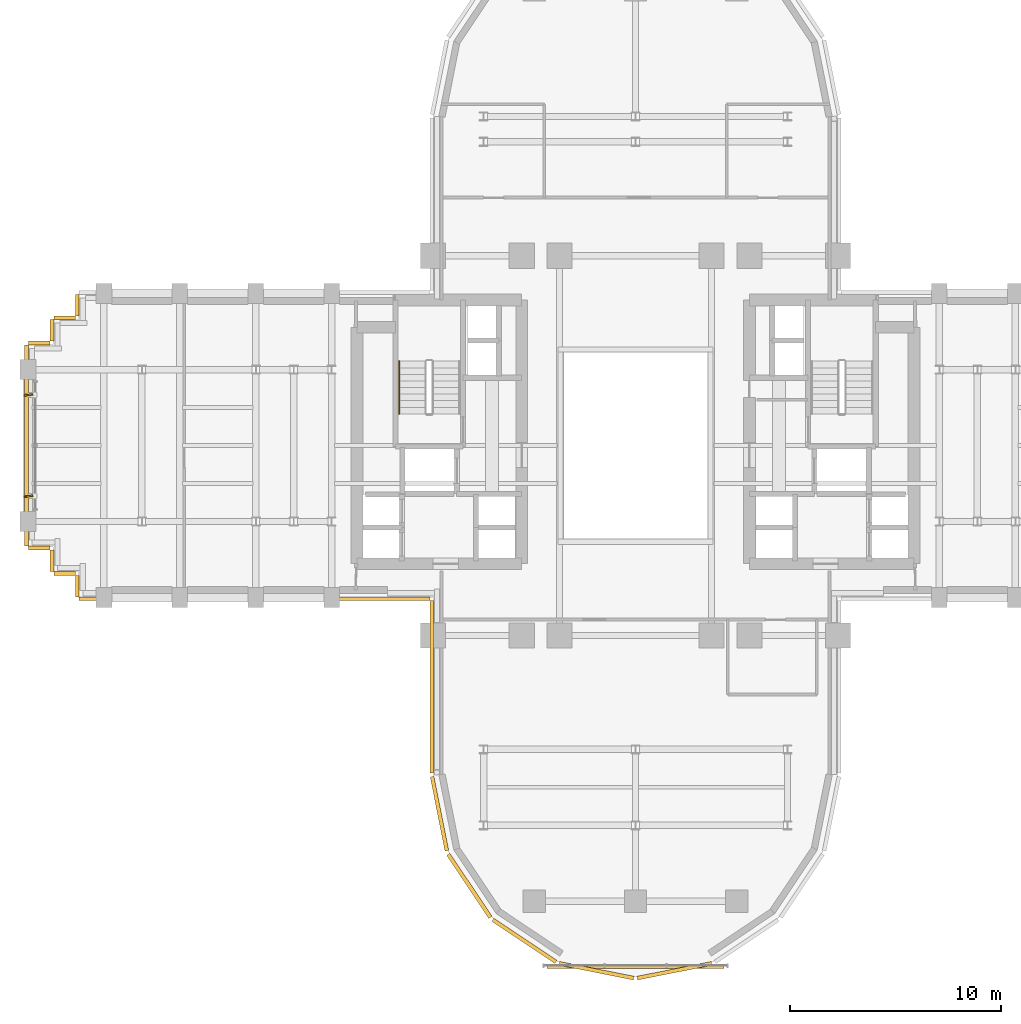
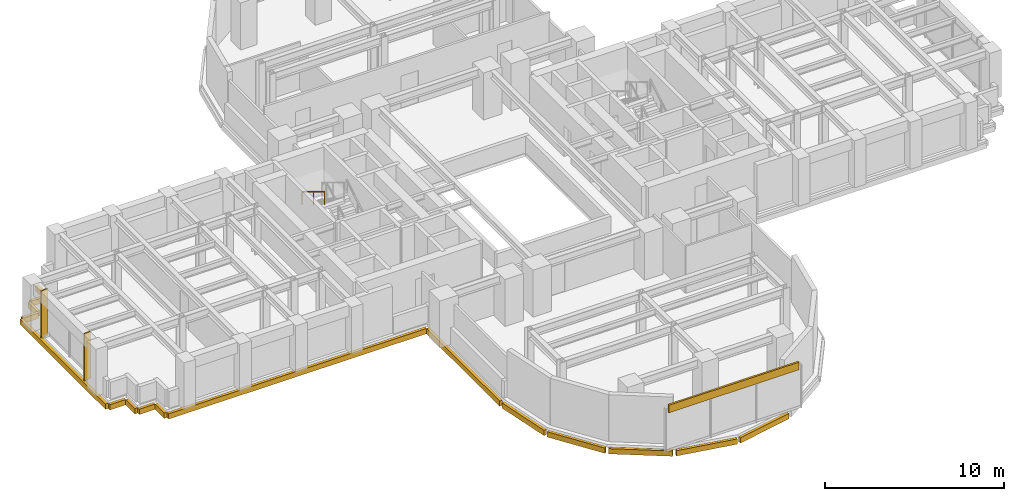
# One storey, part 13 of 16: 17 coverings, 2 shading devices, 1 railing.
"""IFC4 building model written with IfcOpenShell, lengths in metres."""

from ifc_helpers import new_model, si_unit, direction, frame, origin, origin_2d, place, context, subcontext, project, spatial, rectangle, extrude, source, transform, mapped, material, layer, layer_set, type_object, element, save


model = new_model("IFC4")

# Units and contexts
model_context = context("Model", 3, precision=1e-05, world=origin(), true_north=direction((0.0, 1.0)))
body_context = subcontext(model_context, "Body", "Model", "MODEL_VIEW")
ifc_project = project(units=[si_unit("LENGTHUNIT", "METRE"), si_unit("AREAUNIT", "SQUARE_METRE"), si_unit("VOLUMEUNIT", "CUBIC_METRE"), si_unit("PLANEANGLEUNIT", "RADIAN"), si_unit("MASSUNIT", "GRAM", prefix="KILO")], contexts=[model_context])

# Site, building, storey
site_placement = place(None, origin())
site = spatial("IfcSite", under=ifc_project, at=site_placement, CompositionType="ELEMENT")
building_placement = place(site_placement, origin())
building = spatial("IfcBuilding", under=site, at=building_placement, Name="Keilestroom Media Tower", CompositionType="ELEMENT")
storey_placement = place(building_placement, frame((0.0, 0.0, 64.60009765625)))
storey = spatial("IfcBuildingStorey", under=building, at=storey_placement, Name="L16", CompositionType="ELEMENT", Elevation=64.60009765625)

# Railing
ifc_material_1 = material(Name="Brushed Stainless Steel 1.4301", Category="steel")
railing_type = type_object("IfcRailingType", Name="Stair-Pitch-Handrail-920", PredefinedType="HANDRAIL", material=ifc_material_1)
railing_placement = place(storey_placement, frame((-11.2099609375, 3.99609375, 1.888671875)))
element("IfcRailing", 1, at=railing_placement, inside=storey, type_object=railing_type, Name="L16 ST-1 stair handrail 2", PredefinedType="HANDRAIL", context=body_context, shape_type="SweptSolid", body=[
    extrude(rectangle(XDim=0.048095703125, YDim=0.048095703125, at=origin_2d()), frame((0.0, 0.0, 0.8759765625), z_axis=(0.0, -0.855433747314, 0.517912255074), x_axis=(1.0, 0.0, 0.0)), (0.0, 0.0, 1.0), 2.91796875),
    extrude(rectangle(XDim=0.0419921875, YDim=0.0419921875, at=origin_2d()), origin(), (0.0, 0.0, 1.0), 0.84375),
    extrude(rectangle(XDim=0.0419921875, YDim=0.0419921875, at=origin_2d()), frame((0.0, -1.248046875, 0.755615234375)), (0.0, 0.0, 1.0), 0.84375),
    extrude(rectangle(XDim=0.0419921875, YDim=0.0419921875, at=origin_2d()), frame((0.0, -2.49609375, 1.51123046875)), (0.0, 0.0, 1.0), 0.84375),
])

# Covering
ifc_material_2 = material(Name="Precast concrete C40/50", Category="concrete")
ifc_layer = layer(ifc_material_2, 0.1201171875)
ifc_layer_set = layer_set([ifc_layer], Name="Precast concrete C40/50")
covering_type = type_object("IfcCoveringType", Name="Exterior-Precast-Spandrel-Cladding-Panel-120", PredefinedType="CLADDING", material=ifc_layer_set)
shared_shape_1 = source(origin(), body_context, "Body", "SweptSolid", [
    extrude(rectangle(XDim=8.39990234375, YDim=0.1201171875, at=origin_2d()), origin(), (0.0, 0.0, 1.0), 0.52001953125),
])
covering_1_placement = place(storey_placement, frame((0.0, -24.719970703125, 2.68994140625), z_axis=(0.0, 0.0, 1.0), x_axis=(1.0, 0.0, 0.0)))
element("IfcCovering", 2, at=covering_1_placement, inside=storey, type_object=covering_type, Name="L16 Precast Spandrel Cladding S", PredefinedType="CLADDING", context=body_context, shape_type="MappedRepresentation", body=[
    mapped(shared_shape_1, transform((0.0, 0.0, 0.0), x_axis=(1.0, 0.0, 0.0), y_axis=(0.0, 1.0, 0.0), z_axis=(0.0, 0.0, 1.0), scale=1.0)),
])

# Shading devices
ifc_material_3 = material(Name="Bronze Anodised Aluminium", Category="aluminium")
shading_device_type = type_object("IfcShadingDeviceType", Name="Facade-Vertical-Sunshade-Fin-SHD-1", PredefinedType="USERDEFINED", material=ifc_material_3)
shared_shape_2 = source(origin(), body_context, "Body", "SweptSolid", [
    extrude(rectangle(XDim=0.419921875, YDim=0.080078125, at=origin_2d()), origin(), (0.0, 0.0, 1.0), 3.199951171875),
])
for number, where, z_axis, x_axis, name in (
    (3, (-28.77001953125, -2.39990234375, 0.0), (0.0, 0.0, 1.0), (0.99288260457, 0.119097160095, 0.0), "L16 Twisting Sunshade Fin SHD-1 017"),
    (4, (-28.77001953125, 2.39990234375, 0.0), (0.0, 0.0, 1.0), (0.99288260457, 0.119097160095, 0.0), "L16 Twisting Sunshade Fin SHD-1 018"),
):
    element("IfcShadingDevice", number, at=place(storey_placement, frame(where, z_axis=z_axis, x_axis=x_axis)), inside=storey, type_object=shading_device_type, Name=name, ObjectType="SUNSHADE", PredefinedType="USERDEFINED", context=body_context, shape_type="MappedRepresentation", body=[
        mapped(shared_shape_2, transform((0.0, 0.0, 0.0), x_axis=(1.0, 0.0, 0.0), y_axis=(0.0, 1.0, 0.0), z_axis=(0.0, 0.0, 1.0), scale=1.0)),
    ])

# Coverings
shared_shape_3 = source(origin(), body_context, "Body", "SweptSolid", [
    extrude(rectangle(XDim=1.02001953125, YDim=0.179931640625, at=origin_2d()), origin(), (0.0, 0.0, 1.0), 0.360107421875),
])
for number, where, z_axis, x_axis, name in (
    (5, (-26.4599609375, -6.659912109375, -0.5400390625), (0.0, 0.0, 1.0), (0.0, 1.0, 0.0), "L16 Precast Slab-Edge Fascia Cornice 17"),
    (6, (-27.06005859375, -6.06005859375, -0.5400390625), (0.0, 0.0, 1.0), (-1.0, 0.0, 0.0), "L16 Precast Slab-Edge Fascia Cornice 18"),
    (7, (-27.659912109375, -5.4599609375, -0.5400390625), (0.0, 0.0, 1.0), (0.0, 1.0, 0.0), "L16 Precast Slab-Edge Fascia Cornice 19"),
    (8, (-28.260009765625, -4.860107421875, -0.5400390625), (0.0, 0.0, 1.0), (-1.0, 0.0, 0.0), "L16 Precast Slab-Edge Fascia Cornice 20"),
    (9, (-28.260009765625, 4.860107421875, -0.5400390625), (0.0, 0.0, 1.0), (1.0, 0.0, 0.0), "L16 Precast Slab-Edge Fascia Cornice 22"),
    (10, (-27.659912109375, 5.4599609375, -0.5400390625), (0.0, 0.0, 1.0), (0.0, 1.0, 0.0), "L16 Precast Slab-Edge Fascia Cornice 23"),
    (11, (-27.06005859375, 6.06005859375, -0.5400390625), (0.0, 0.0, 1.0), (1.0, 0.0, 0.0), "L16 Precast Slab-Edge Fascia Cornice 24"),
    (12, (-26.4599609375, 6.659912109375, -0.5400390625), (0.0, 0.0, 1.0), (0.0, 1.0, 0.0), "L16 Precast Slab-Edge Fascia Cornice 25"),
):
    element("IfcCovering", number, at=place(storey_placement, frame(where, z_axis=z_axis, x_axis=x_axis)), inside=storey, type_object=covering_type, Name=name, PredefinedType="CLADDING", context=body_context, shape_type="MappedRepresentation", body=[
        mapped(shared_shape_3, transform((0.0, 0.0, 0.0), x_axis=(1.0, 0.0, 0.0), y_axis=(0.0, 1.0, 0.0), z_axis=(0.0, 0.0, 1.0), scale=1.0)),
    ])
shared_shape_4 = source(origin(), body_context, "Body", "SweptSolid", [
    extrude(rectangle(XDim=16.6201171875, YDim=0.179931640625, at=origin_2d()), origin(), (0.0, 0.0, 1.0), 0.360107421875),
])
covering_2_placement = place(storey_placement, frame((-18.06005859375, -7.260009765625, -0.5400390625), z_axis=(0.0, 0.0, 1.0), x_axis=(-1.0, 0.0, 0.0)))
element("IfcCovering", 13, at=covering_2_placement, inside=storey, type_object=covering_type, Name="L16 Precast Slab-Edge Fascia Cornice 16", PredefinedType="CLADDING", context=body_context, shape_type="MappedRepresentation", body=[
    mapped(shared_shape_4, transform((0.0, 0.0, 0.0), x_axis=(1.0, 0.0, 0.0), y_axis=(0.0, 1.0, 0.0), z_axis=(0.0, 0.0, 1.0), scale=1.0)),
])
shared_shape_5 = source(origin(), body_context, "Body", "SweptSolid", [
    extrude(rectangle(XDim=8.166015625, YDim=0.179931640625, at=origin_2d()), origin(), (0.0, 0.0, 1.0), 0.360107421875),
])
covering_3_placement = place(storey_placement, frame((-9.659912109375, -11.43310546875, -0.5400390625), z_axis=(0.0, 0.0, 1.0), x_axis=(0.0, 1.0, 0.0)))
element("IfcCovering", 14, at=covering_3_placement, inside=storey, type_object=covering_type, Name="L16 Precast Slab-Edge Fascia Cornice 15", PredefinedType="CLADDING", context=body_context, shape_type="MappedRepresentation", body=[
    mapped(shared_shape_5, transform((0.0, 0.0, 0.0), x_axis=(1.0, 0.0, 0.0), y_axis=(0.0, 1.0, 0.0), z_axis=(0.0, 0.0, 1.0), scale=1.0)),
])
shared_shape_6 = source(origin(), body_context, "Body", "SweptSolid", [
    extrude(rectangle(XDim=3.58349609375, YDim=0.179931640625, at=origin_2d()), origin(), (0.0, 0.0, 1.0), 0.360107421875),
])
covering_4_placement = place(storey_placement, frame((-9.29296875, -17.45166015625, -0.5400390625), z_axis=(0.0, 0.0, 1.0), x_axis=(-0.195098880975, 0.980783577882, 0.0)))
element("IfcCovering", 15, at=covering_4_placement, inside=storey, type_object=covering_type, Name="L16 Precast Slab-Edge Fascia Cornice 14", PredefinedType="CLADDING", context=body_context, shape_type="MappedRepresentation", body=[
    mapped(shared_shape_6, transform((0.0, 0.0, 0.0), x_axis=(1.0, 0.0, 0.0), y_axis=(0.0, 1.0, 0.0), z_axis=(0.0, 0.0, 1.0), scale=1.0)),
])
shared_shape_7 = source(origin(), body_context, "Body", "SweptSolid", [
    extrude(rectangle(XDim=3.589599609375, YDim=0.179931640625, at=origin_2d()), origin(), (0.0, 0.0, 1.0), 0.360107421875),
])
for number, where, z_axis, x_axis, name in (
    (16, (1.8486328125, -24.893310546875, -0.5400390625), (0.0, 0.0, 1.0), (-0.980783577882, -0.195098880975, 0.0), "L16 Precast Slab-Edge Fascia Cornice 10"),
    (17, (-1.8486328125, -24.893310546875, -0.5400390625), (0.0, 0.0, 1.0), (-0.980783577882, 0.195098880975, 0.0), "L16 Precast Slab-Edge Fascia Cornice 11"),
    (18, (-5.264404296875, -23.478515625, -0.5400390625), (0.0, 0.0, 1.0), (-0.831466703332, 0.555574586577, 0.0), "L16 Precast Slab-Edge Fascia Cornice 12"),
    (19, (-7.878662109375, -20.8642578125, -0.5400390625), (0.0, 0.0, 1.0), (-0.555574586577, 0.831466703332, 0.0), "L16 Precast Slab-Edge Fascia Cornice 13"),
):
    element("IfcCovering", number, at=place(storey_placement, frame(where, z_axis=z_axis, x_axis=x_axis)), inside=storey, type_object=covering_type, Name=name, PredefinedType="CLADDING", context=body_context, shape_type="MappedRepresentation", body=[
        mapped(shared_shape_7, transform((0.0, 0.0, 0.0), x_axis=(1.0, 0.0, 0.0), y_axis=(0.0, 1.0, 0.0), z_axis=(0.0, 0.0, 1.0), scale=1.0)),
    ])
shared_shape_8 = source(origin(), body_context, "Body", "SweptSolid", [
    extrude(rectangle(XDim=9.5400390625, YDim=0.179931640625, at=origin_2d()), origin(), (0.0, 0.0, 1.0), 0.360107421875),
])
covering_5_placement = place(storey_placement, frame((-28.860107421875, 0.0, -0.5400390625), z_axis=(0.0, 0.0, 1.0), x_axis=(0.0, 1.0, 0.0)))
element("IfcCovering", 20, at=covering_5_placement, inside=storey, type_object=covering_type, Name="L16 Precast Slab-Edge Fascia Cornice 21", PredefinedType="CLADDING", context=body_context, shape_type="MappedRepresentation", body=[
    mapped(shared_shape_8, transform((0.0, 0.0, 0.0), x_axis=(1.0, 0.0, 0.0), y_axis=(0.0, 1.0, 0.0), z_axis=(0.0, 0.0, 1.0), scale=1.0)),
])

save(model, "model.ifc")
